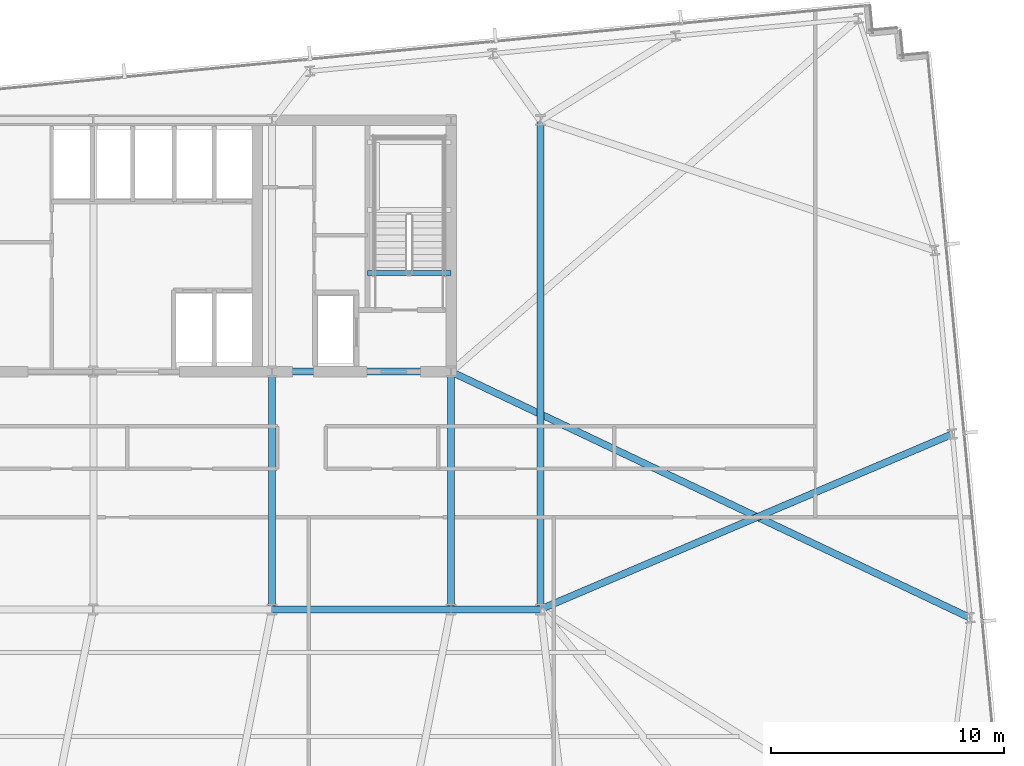
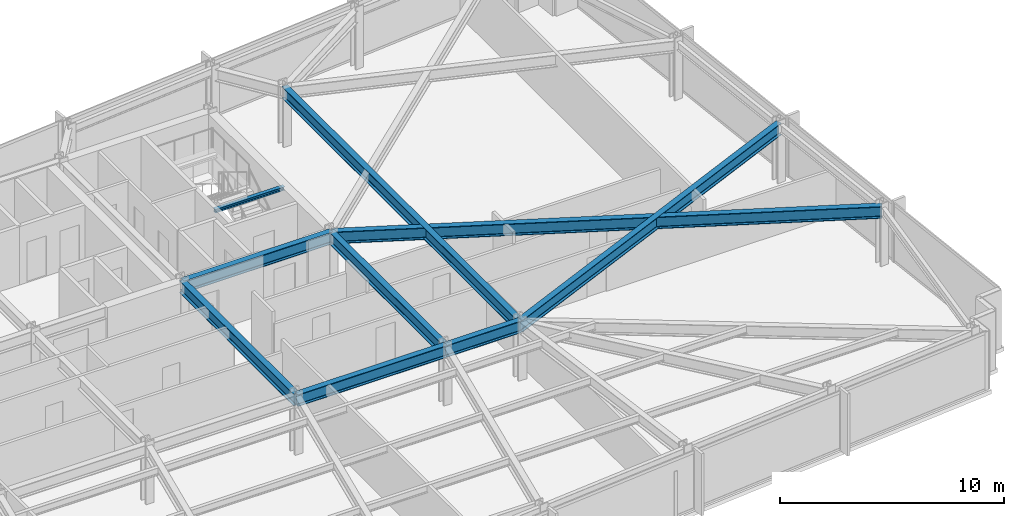
# One storey, part 15 of 32: 9 beams.
"""IFC4 building model written with IfcOpenShell, lengths in metres."""

from ifc_helpers import new_model, si_unit, direction, frame, origin, origin_2d, place, context, subcontext, project, spatial, i_section, extrude, material, material_profile, profile_set, type_object, element, save


model = new_model("IFC4")

# Units and contexts
model_context = context("Model", 3, precision=1e-05, world=origin(), true_north=direction((0.0, 1.0)))
body_context = subcontext(model_context, "Body", "Model", "MODEL_VIEW")
ifc_project = project(units=[si_unit("LENGTHUNIT", "METRE"), si_unit("AREAUNIT", "SQUARE_METRE"), si_unit("VOLUMEUNIT", "CUBIC_METRE"), si_unit("PLANEANGLEUNIT", "RADIAN"), si_unit("MASSUNIT", "GRAM", prefix="KILO")], contexts=[model_context])

# Site, building, storey
site_placement = place(None, origin())
site = spatial("IfcSite", under=ifc_project, at=site_placement, CompositionType="ELEMENT")
building_placement = place(site_placement, origin())
building = spatial("IfcBuilding", under=site, at=building_placement, Name="Yelkora Congress Tower", CompositionType="ELEMENT")
storey_placement = place(building_placement, frame((0.0, 0.0, 120.300048828125)))
storey = spatial("IfcBuildingStorey", under=building, at=storey_placement, Name="L32", CompositionType="ELEMENT", Elevation=120.300048828125)

# Beams
ifc_material = material(Name="Steel S355J2", Category="steel")
ifc_material_profile_1 = material_profile(ifc_material, i_section(OverallWidth=0.300048828125, OverallDepth=0.64990234375, WebThickness=0.01611328125, FlangeThickness=0.031005859375, FilletRadius=0.027099609375, at=origin_2d()), Name="HEB 650")
ifc_profile_set_1 = profile_set([ifc_material_profile_1], Name="Steel S355J2")
beam_type_1 = type_object("IfcBeamType", Name="BM-GIRD-HEB650", PredefinedType="BEAM", material=ifc_profile_set_1)
beam_1_placement = place(storey_placement, frame((46.080078125, 25.199951171875, 2.85498046875), z_axis=(1.0, 0.0, 0.0), x_axis=(0.0, 1.0, 0.0)))
element("IfcBeam", 1, at=beam_1_placement, inside=storey, type_object=beam_type_1, Name="L32 Spine Grid D Girder 5", PredefinedType="BEAM", context=body_context, shape_type="SweptSolid", body=[
    extrude(i_section(OverallWidth=0.300048828125, OverallDepth=0.64990234375, WebThickness=0.01611328125, FlangeThickness=0.031005859375, FilletRadius=0.027099609375, at=origin_2d()), origin(), (0.0, 0.0, 1.0), 7.679931640625),
])
beam_2_placement = place(storey_placement, frame((53.760009765625, 25.199951171875, 2.85498046875), z_axis=(1.0, 0.0, 0.0), x_axis=(0.0, 1.0, 0.0)))
element("IfcBeam", 2, at=beam_2_placement, inside=storey, type_object=beam_type_1, Name="L32 Spine Grid D Girder 6", PredefinedType="BEAM", context=body_context, shape_type="SweptSolid", body=[
    extrude(i_section(OverallWidth=0.300048828125, OverallDepth=0.64990234375, WebThickness=0.01611328125, FlangeThickness=0.031005859375, FilletRadius=0.027099609375, at=origin_2d()), origin(), (0.0, 0.0, 1.0), 3.840087890625),
])
beam_3_placement = place(storey_placement, frame((46.080078125, 35.39990234375, 2.85498046875), z_axis=(1.0, 0.0, 0.0), x_axis=(0.0, 1.0, 0.0)))
element("IfcBeam", 3, at=beam_3_placement, inside=storey, type_object=beam_type_1, Name="L32 Core South Girder 4", PredefinedType="BEAM", context=body_context, shape_type="SweptSolid", body=[
    extrude(i_section(OverallWidth=0.300048828125, OverallDepth=0.64990234375, WebThickness=0.01611328125, FlangeThickness=0.031005859375, FilletRadius=0.027099609375, at=origin_2d()), origin(), (0.0, 0.0, 1.0), 7.679931640625),
])
for number, where, z_axis, x_axis, name in (
    (4, (46.080078125, 25.199951171875, 2.85498046875), (0.0, 1.0, 0.0), (-1.0, 0.0, 0.0), "L32 Core Tie Girder MC-D4"),
    (5, (53.760009765625, 25.199951171875, 2.85498046875), (0.0, 1.0, 0.0), (-1.0, 0.0, 0.0), "L32 Core Tie Girder MC-D5"),
):
    element("IfcBeam", number, at=place(storey_placement, frame(where, z_axis=z_axis, x_axis=x_axis)), inside=storey, type_object=beam_type_1, Name=name, PredefinedType="BEAM", context=body_context, shape_type="SweptSolid", body=[
        extrude(i_section(OverallWidth=0.300048828125, OverallDepth=0.64990234375, WebThickness=0.01611328125, FlangeThickness=0.031005859375, FilletRadius=0.027099609375, at=origin_2d()), origin(), (0.0, 0.0, 1.0), 10.199951171875),
    ])
beam_4_placement = place(storey_placement, frame((57.60009765625, 25.199951171875, 2.85498046875), z_axis=(0.0, 1.0, 0.0), x_axis=(-1.0, 0.0, 0.0)))
element("IfcBeam", 6, at=beam_4_placement, inside=storey, type_object=beam_type_1, Name="L32 Neck Flank Girder MC-F2", PredefinedType="BEAM", context=body_context, shape_type="SweptSolid", body=[
    extrude(i_section(OverallWidth=0.300048828125, OverallDepth=0.64990234375, WebThickness=0.01611328125, FlangeThickness=0.031005859375, FilletRadius=0.027099609375, at=origin_2d()), origin(), (0.0, 0.0, 1.0), 21.0),
])
beam_5_placement = place(storey_placement, frame((76.041259765625, 24.83349609375, 2.85498046875), z_axis=(-0.903547447445, 0.428488051427, 0.0), x_axis=(-0.428488051427, -0.903547447445, 0.0)))
element("IfcBeam", 7, at=beam_5_placement, inside=storey, type_object=beam_type_1, Name="L32 Primary Frame Girder E01", PredefinedType="BEAM", context=body_context, shape_type="SweptSolid", body=[
    extrude(i_section(OverallWidth=0.300048828125, OverallDepth=0.64990234375, WebThickness=0.01611328125, FlangeThickness=0.031005859375, FilletRadius=0.027099609375, at=origin_2d()), origin(), (0.0, 0.0, 1.0), 24.65966796875),
])
beam_6_placement = place(storey_placement, frame((75.28173828125, 32.721923828125, 2.85498046875), z_axis=(-0.920194564302, -0.391461318432, 0.0), x_axis=(0.391461318432, -0.920194564302, 0.0)))
element("IfcBeam", 8, at=beam_6_placement, inside=storey, type_object=beam_type_1, Name="L32 Primary Frame Girder E02", PredefinedType="BEAM", context=body_context, shape_type="SweptSolid", body=[
    extrude(i_section(OverallWidth=0.300048828125, OverallDepth=0.64990234375, WebThickness=0.01611328125, FlangeThickness=0.031005859375, FilletRadius=0.027099609375, at=origin_2d()), origin(), (0.0, 0.0, 1.0), 19.215087890625),
])
ifc_material_profile_2 = material_profile(ifc_material, i_section(OverallWidth=0.199951171875, OverallDepth=0.18994140625, WebThickness=0.006591796875, FlangeThickness=0.010009765625, FilletRadius=0.01806640625, at=origin_2d()), Name="HEA 200")
ifc_profile_set_2 = profile_set([ifc_material_profile_2], Name="Steel S355J2")
beam_type_2 = type_object("IfcBeamType", Name="BM-LAND-HEA200", PredefinedType="BEAM", material=ifc_profile_set_2)
beam_7_placement = place(storey_placement, frame((50.179931640625, 39.639892578125, 2.947265625), z_axis=(1.0, 0.0, 0.0), x_axis=(0.0, 1.0, 0.0)))
element("IfcBeam", 9, at=beam_7_placement, inside=storey, type_object=beam_type_2, Name="ST-02 L32 Floor Arrival Stringer Header Beam", PredefinedType="BEAM", context=body_context, shape_type="SweptSolid", body=[
    extrude(i_section(OverallWidth=0.199951171875, OverallDepth=0.18994140625, WebThickness=0.006591796875, FlangeThickness=0.010009765625, FilletRadius=0.01806640625, at=origin_2d()), origin(), (0.0, 0.0, 1.0), 3.580078125),
])

save(model, "model.ifc")
